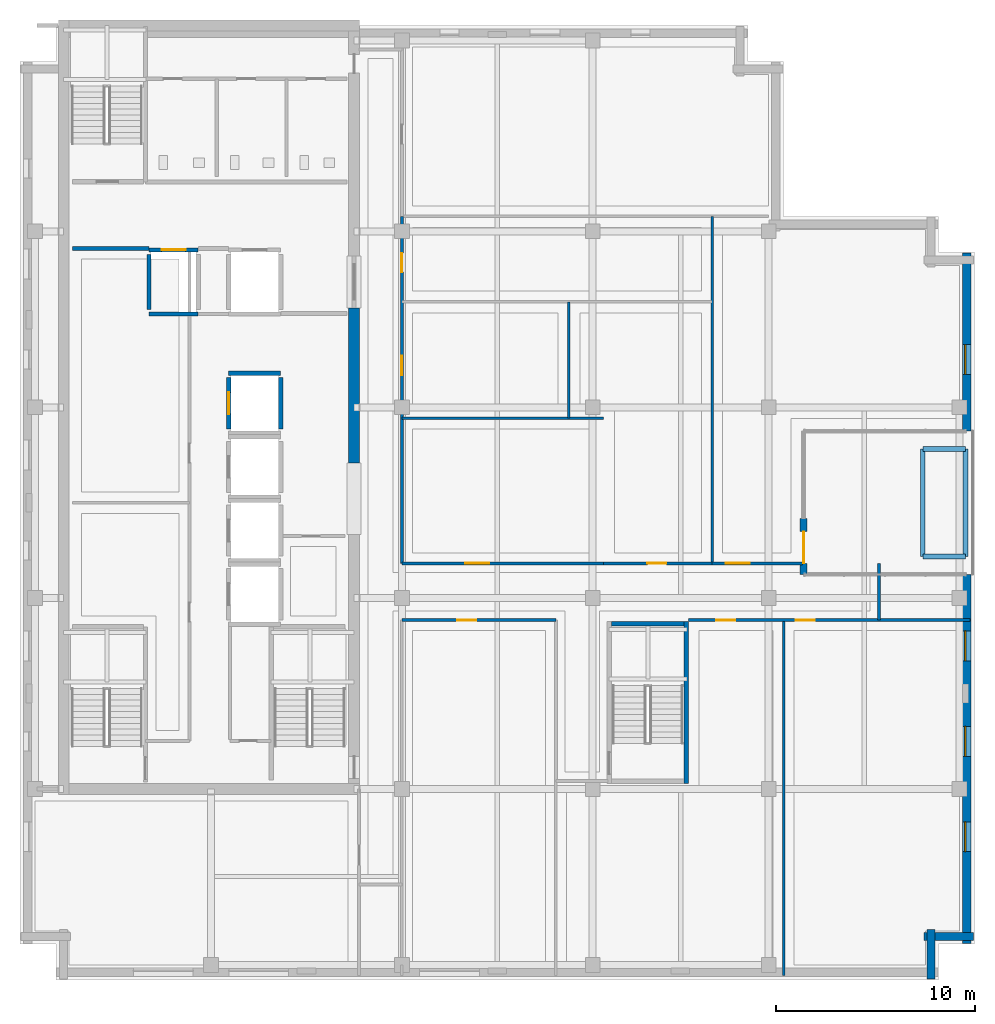
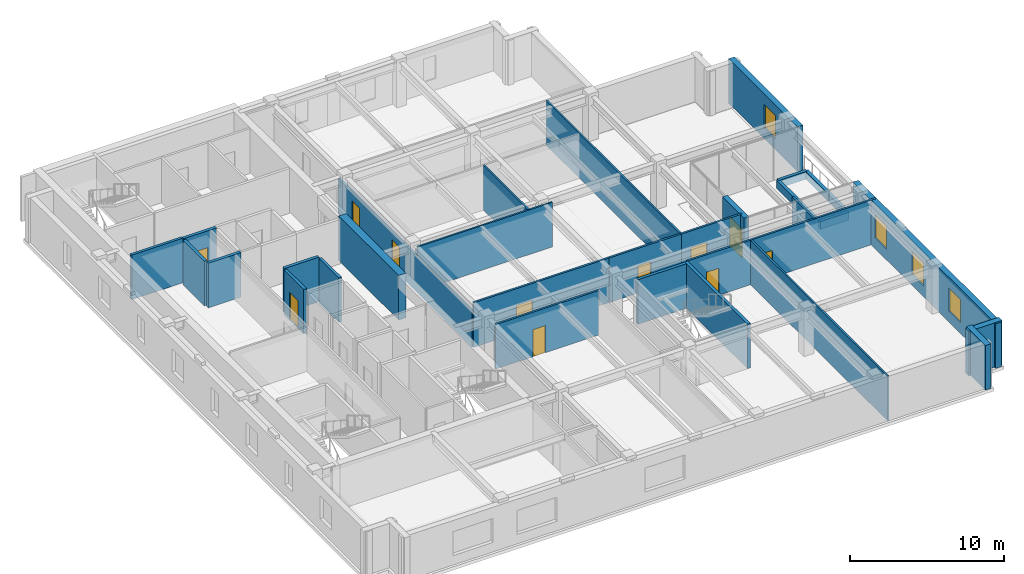
# One storey, part 4 of 13: 30 walls, 11 doors, 4 windows, 15 openings.
"""IFC4 building model written with IfcOpenShell, lengths in metres."""

from ifc_helpers import new_model, si_unit, direction, frame, frame_2d, origin, place, context, subcontext, project, spatial, rectangle, extrude, material, layer, layer_set, type_object, element, fill, save


model = new_model("IFC4")

# Units and contexts
model_context = context("Model", 3, precision=1e-05, world=origin(), true_north=direction((0.0, 1.0)))
body_context = subcontext(model_context, "Body", "Model", "MODEL_VIEW")
ifc_project = project(units=[si_unit("LENGTHUNIT", "METRE"), si_unit("AREAUNIT", "SQUARE_METRE"), si_unit("VOLUMEUNIT", "CUBIC_METRE"), si_unit("PLANEANGLEUNIT", "RADIAN"), si_unit("MASSUNIT", "GRAM", prefix="KILO")], contexts=[model_context])

# Site, building, storey
site_placement = place(None, origin())
site = spatial("IfcSite", under=ifc_project, at=site_placement, CompositionType="ELEMENT")
building_placement = place(site_placement, origin())
building = spatial("IfcBuilding", under=site, at=building_placement, Name="Norrvale University Quadrangle", CompositionType="ELEMENT")
storey_placement = place(building_placement, frame((0.0, 0.0, 277.199951171875)))
storey = spatial("IfcBuildingStorey", under=building, at=storey_placement, Name="L70", CompositionType="ELEMENT", Elevation=277.199951171875)

# Walls
ifc_material_1 = material(Name="Buff Norman Clay Brick Masonry", Category="masonry")
ifc_layer_1 = layer(ifc_material_1, 0.419921875, Name="Buff Norman Clay Brick Masonry")
ifc_layer_set_1 = layer_set([ifc_layer_1], Name="Buff Norman Clay Brick Masonry")
wall_type_1 = type_object("IfcWallType", Name="Wall Buff Brick 420", PredefinedType="SOLIDWALL", material=ifc_layer_set_1)
for number, where, z_axis, x_axis, name in (
    (1, (45.81005859375, 0.0400390625, 0.0), (0.0, 0.0, 1.0), (0.0, 1.0, 0.0), "Exterior Brick Facade Wall L70-02.1"),
    (2, (45.4599609375, 2.18994140625, 0.0), (0.0, 0.0, 1.0), (1.0, 0.0, 0.0), "Exterior Brick Facade Wall L70-03.1"),
):
    element("IfcWall", number, at=place(storey_placement, frame(where, z_axis=z_axis, x_axis=x_axis)), inside=storey, type_object=wall_type_1, Name=name, PredefinedType="SOLIDWALL", context=body_context, shape_type="SweptSolid", body=[
        extrude(rectangle(XDim=2.5, YDim=0.419921875, at=frame_2d((1.25, 0.0))), origin(), (0.0, 0.0, 1.0), 3.5400390625),
    ])

# Wall, openings, windows
wall_1_placement = place(storey_placement, frame((47.610107421875, 1.840087890625, 0.0), z_axis=(0.0, 0.0, 1.0), x_axis=(0.0, 1.0, 0.0)))
wall_1 = element("IfcWall", 3, at=wall_1_placement, inside=storey, type_object=wall_type_1, Name="Exterior Brick Facade Wall L70-04.1", PredefinedType="SOLIDWALL", context=body_context, shape_type="SweptSolid", body=[
    extrude(rectangle(XDim=18.559814453125, YDim=0.419921875, at=frame_2d((9.27978515625, 0.0))), origin(), (0.0, 0.0, 1.0), 3.5400390625),
])
opening_1_placement = place(wall_1_placement, frame((4.610107421875, 0.0, 0.85009765625)))
opening_1 = element("IfcOpeningElement", 4, at=opening_1_placement, cuts=wall_1, Name="Opening W03", PredefinedType="OPENING", context=body_context, shape_type="SweptSolid", body=[
    extrude(rectangle(XDim=1.5, YDim=1.85009765625, at=frame_2d((0.75, 0.925048828125))), frame((0.0, 0.221923828125, 0.0), z_axis=(0.0, -1.0, 0.0), x_axis=(1.0, 0.0, 0.0)), (0.0, 0.0, 1.0), 0.44384765625),
])
opening_2_placement = place(wall_1_placement, frame((9.409912109375, 0.0, 0.85009765625)))
opening_2 = element("IfcOpeningElement", 5, at=opening_2_placement, cuts=wall_1, Name="Opening W03", PredefinedType="OPENING", context=body_context, shape_type="SweptSolid", body=[
    extrude(rectangle(XDim=1.5, YDim=1.85009765625, at=frame_2d((0.75, 0.925048828125))), frame((0.0, 0.221923828125, 0.0), z_axis=(0.0, -1.0, 0.0), x_axis=(1.0, 0.0, 0.0)), (0.0, 0.0, 1.0), 0.44384765625),
])
opening_3_placement = place(wall_1_placement, frame((14.2099609375, 0.0, 0.85009765625)))
opening_3 = element("IfcOpeningElement", 6, at=opening_3_placement, cuts=wall_1, Name="Opening W03", PredefinedType="OPENING", context=body_context, shape_type="SweptSolid", body=[
    extrude(rectangle(XDim=1.5, YDim=1.85009765625, at=frame_2d((0.75, 0.925048828125))), frame((0.0, 0.221923828125, 0.0), z_axis=(0.0, -1.0, 0.0), x_axis=(1.0, 0.0, 0.0)), (0.0, 0.0, 1.0), 0.44384765625),
])
ifc_material_2 = material(Name="Triple Low-E Argon Glazing", Category="glass")
window_type = type_object("IfcWindowType", Name="Window Studio 1500x2300", PartitioningType="DOUBLE_PANEL_VERTICAL", PredefinedType="WINDOW", material=ifc_material_2)
window_1_placement = place(opening_1_placement, origin())
window_1 = element("IfcWindow", 7, at=window_1_placement, inside=storey, type_object=window_type, Name="Window Studio 1500x2300 WIN-L70-E04-1-01", OverallHeight=1.85009765625, OverallWidth=1.5, PartitioningType="DOUBLE_PANEL_VERTICAL", PredefinedType="WINDOW", context=body_context, shape_type="SweptSolid", body=[
    extrude(rectangle(XDim=1.5, YDim=1.85009765625, at=frame_2d((0.75, 0.925048828125))), frame((0.0, 0.110107421875, 0.0), z_axis=(0.0, -1.0, 0.0), x_axis=(1.0, 0.0, 0.0)), (0.0, 0.0, 1.0), 0.06005859375),
])
fill(opening_1, window_1)
window_2_placement = place(opening_2_placement, origin())
window_2 = element("IfcWindow", 8, at=window_2_placement, inside=storey, type_object=window_type, Name="Window Studio 1500x2300 WIN-L70-E04-1-02", OverallHeight=1.85009765625, OverallWidth=1.5, PartitioningType="DOUBLE_PANEL_VERTICAL", PredefinedType="WINDOW", context=body_context, shape_type="SweptSolid", body=[
    extrude(rectangle(XDim=1.5, YDim=1.85009765625, at=frame_2d((0.75, 0.925048828125))), frame((0.0, 0.110107421875, 0.0), z_axis=(0.0, -1.0, 0.0), x_axis=(1.0, 0.0, 0.0)), (0.0, 0.0, 1.0), 0.06005859375),
])
fill(opening_2, window_2)
window_3_placement = place(opening_3_placement, origin())
window_3 = element("IfcWindow", 9, at=window_3_placement, inside=storey, type_object=window_type, Name="Window Studio 1500x2300 WIN-L70-E04-1-03", OverallHeight=1.85009765625, OverallWidth=1.5, PartitioningType="DOUBLE_PANEL_VERTICAL", PredefinedType="WINDOW", context=body_context, shape_type="SweptSolid", body=[
    extrude(rectangle(XDim=1.5, YDim=1.85009765625, at=frame_2d((0.75, 0.925048828125))), frame((0.0, 0.110107421875, 0.0), z_axis=(0.0, -1.0, 0.0), x_axis=(1.0, 0.0, 0.0)), (0.0, 0.0, 1.0), 0.06005859375),
])
fill(opening_3, window_3)

# Wall, opening, window
wall_2_placement = place(storey_placement, frame((47.610107421875, 27.60009765625, 0.0), z_axis=(0.0, 0.0, 1.0), x_axis=(0.0, 1.0, 0.0)))
wall_2 = element("IfcWall", 10, at=wall_2_placement, inside=storey, type_object=wall_type_1, Name="Exterior Brick Facade Wall L70-04.2", PredefinedType="SOLIDWALL", context=body_context, shape_type="SweptSolid", body=[
    extrude(rectangle(XDim=8.9599609375, YDim=0.419921875, at=frame_2d((4.47998046875, 0.0))), origin(), (0.0, 0.0, 1.0), 3.5400390625),
])
opening_4_placement = place(wall_2_placement, frame((2.85009765625, 0.0, 0.85009765625)))
opening_4 = element("IfcOpeningElement", 11, at=opening_4_placement, cuts=wall_2, Name="Opening W03", PredefinedType="OPENING", context=body_context, shape_type="SweptSolid", body=[
    extrude(rectangle(XDim=1.5, YDim=1.85009765625, at=frame_2d((0.75, 0.925048828125))), frame((0.0, 0.221923828125, 0.0), z_axis=(0.0, -1.0, 0.0), x_axis=(1.0, 0.0, 0.0)), (0.0, 0.0, 1.0), 0.44384765625),
])
window_4_placement = place(opening_4_placement, origin())
window_4 = element("IfcWindow", 12, at=window_4_placement, inside=storey, type_object=window_type, Name="Window Studio 1500x2300 WIN-L70-E04-2-01", OverallHeight=1.85009765625, OverallWidth=1.5, PartitioningType="DOUBLE_PANEL_VERTICAL", PredefinedType="WINDOW", context=body_context, shape_type="SweptSolid", body=[
    extrude(rectangle(XDim=1.5, YDim=1.85009765625, at=frame_2d((0.75, 0.925048828125))), frame((0.0, 0.110107421875, 0.0), z_axis=(0.0, -1.0, 0.0), x_axis=(1.0, 0.0, 0.0)), (0.0, 0.0, 1.0), 0.06005859375),
])
fill(opening_4, window_4)

# Wall, opening, door
wall_3_placement = place(storey_placement, frame((39.39990234375, 20.39990234375, 0.0), z_axis=(0.0, 0.0, 1.0), x_axis=(0.0, 1.0, 0.0)))
wall_3 = element("IfcWall", 13, at=wall_3_placement, inside=storey, type_object=wall_type_1, Name="Sky Garden Loggia Access Wall L70", PredefinedType="SOLIDWALL", context=body_context, shape_type="SweptSolid", body=[
    extrude(rectangle(XDim=2.800048828125, YDim=0.360107421875, at=frame_2d((1.39990234375, 0.0))), origin(), (0.0, 0.0, 1.0), 3.5400390625),
])
opening_5_placement = place(wall_3_placement, frame((0.550048828125, 0.0, 0.0)))
opening_5 = element("IfcOpeningElement", 14, at=opening_5_placement, cuts=wall_3, Name="Opening D09", PredefinedType="OPENING", context=body_context, shape_type="SweptSolid", body=[
    extrude(rectangle(XDim=1.60009765625, YDim=2.300048828125, at=frame_2d((0.800048828125, 1.14990234375))), frame((0.0, 0.192138671875, 0.0), z_axis=(0.0, -1.0, 0.0), x_axis=(1.0, 0.0, 0.0)), (0.0, 0.0, 1.0), 0.384033203125),
])
ifc_material_3 = material(Name="Thermally Broken Glazed Terrace Door")
door_type_1 = type_object("IfcDoorType", Name="Door Terrace 1600x2300", OperationType="DOUBLE_SWING_LEFT", PredefinedType="DOOR", material=ifc_material_3)
door_1_placement = place(opening_5_placement, frame((1.60009765625, 0.0, 0.0), z_axis=(0.0, 0.0, 1.0), x_axis=(-1.0, 0.0, 0.0)))
door_1 = element("IfcDoor", 15, at=door_1_placement, inside=storey, type_object=door_type_1, Name="Door Terrace 1600x2300 DR-L70-SKYG", OperationType="DOUBLE_SWING_LEFT", OverallHeight=2.300048828125, OverallWidth=1.60009765625, PredefinedType="DOOR", context=body_context, shape_type="SweptSolid", body=[
    extrude(rectangle(XDim=1.60009765625, YDim=2.300048828125, at=frame_2d((0.800048828125, 1.14990234375))), frame((0.0, 0.02490234375, 0.0), z_axis=(0.0, -1.0, 0.0), x_axis=(1.0, 0.0, 0.0)), (0.0, 0.0, 1.0), 0.050048828125),
])
fill(opening_5, door_1)

# Walls
ifc_material_4 = material(Name="Concrete C60/75", Category="concrete")
ifc_layer_2 = layer(ifc_material_4, 0.550048828125, Name="Concrete C60/75")
ifc_layer_set_2 = layer_set([ifc_layer_2], Name="Concrete C60/75")
wall_type_2 = type_object("IfcWallType", Name="Wall Core 550", PredefinedType="SHEAR", material=ifc_layer_set_2)
wall_4_placement = place(storey_placement, frame((16.800048828125, 26.0, 0.0), z_axis=(0.0, 0.0, 1.0), x_axis=(0.0, 1.0, 0.0)))
element("IfcWall", 16, at=wall_4_placement, inside=storey, type_object=wall_type_2, Name="Tower Core Shear Wall L70-E2", PredefinedType="SHEAR", context=body_context, shape_type="SweptSolid", body=[
    extrude(rectangle(XDim=7.800048828125, YDim=0.550048828125, at=frame_2d((3.89990234375, 0.0))), origin(), (0.0, 0.0, 1.0), 3.5400390625),
])
ifc_material_5 = material(Name="Standard Academic Gypsum Partition")
ifc_layer_3 = layer(ifc_material_5, 0.125, Name="Standard Academic Gypsum Partition")
ifc_layer_set_3 = layer_set([ifc_layer_3], Name="Standard Academic Gypsum Partition")
wall_type_3 = type_object("IfcWallType", Name="Wall Gypsum Academic 125", PredefinedType="PARTITIONING", material=ifc_layer_set_3)
wall_5_placement = place(storey_placement, frame((38.39990234375, 0.219970703125, 0.0), z_axis=(0.0, 0.0, 1.0), x_axis=(0.0, 1.0, 0.0)))
element("IfcWall", 17, at=wall_5_placement, inside=storey, type_object=wall_type_3, Name="Interior Partition WL-L70-SEP2", PredefinedType="PARTITIONING", context=body_context, shape_type="SweptSolid", body=[
    extrude(rectangle(XDim=17.880126953125, YDim=0.125, at=frame_2d((8.93994140625, 0.0))), origin(), (0.0, 0.0, 1.0), 3.5400390625),
])
wall_6_placement = place(storey_placement, frame((27.60009765625, 28.25, 0.0), z_axis=(0.0, 0.0, 1.0), x_axis=(0.0, 1.0, 0.0)))
element("IfcWall", 18, at=wall_6_placement, inside=storey, type_object=wall_type_3, Name="Interior Partition WL-L70-MEN-M1", PredefinedType="PARTITIONING", context=body_context, shape_type="SweptSolid", body=[
    extrude(rectangle(XDim=5.85009765625, YDim=0.125, at=frame_2d((2.925048828125, 0.0))), origin(), (0.0, 0.0, 1.0), 3.5400390625),
])
wall_7_placement = place(storey_placement, frame((19.199951171875, 28.25, 0.0), z_axis=(0.0, 0.0, 1.0), x_axis=(1.0, 0.0, 0.0)))
element("IfcWall", 19, at=wall_7_placement, inside=storey, type_object=wall_type_3, Name="Interior Partition WL-L70-MEN-S", PredefinedType="PARTITIONING", context=body_context, shape_type="SweptSolid", body=[
    extrude(rectangle(XDim=10.150146484375, YDim=0.125, at=frame_2d((5.0751953125, 0.0))), origin(), (0.0, 0.0, 1.0), 3.5400390625),
])
wall_8_placement = place(storey_placement, frame((34.800048828125, 20.949951171875, 0.0), z_axis=(0.0, 0.0, 1.0), x_axis=(0.0, 1.0, 0.0)))
element("IfcWall", 20, at=wall_8_placement, inside=storey, type_object=wall_type_3, Name="Interior Partition WL-L70-MEN-E", PredefinedType="PARTITIONING", context=body_context, shape_type="SweptSolid", body=[
    extrude(rectangle(XDim=17.449951171875, YDim=0.125, at=frame_2d((8.72509765625, 0.0))), origin(), (0.0, 0.0, 1.0), 3.5400390625),
])
ifc_material_6 = material(Name="Fire-Rated Gypsum Stud Partition")
ifc_layer_4 = layer(ifc_material_6, 0.14990234375, Name="Fire-Rated Gypsum Stud Partition")
ifc_layer_set_4 = layer_set([ifc_layer_4], Name="Fire-Rated Gypsum Stud Partition")
wall_type_4 = type_object("IfcWallType", Name="Wall Gypsum Corridor 150", PredefinedType="PARTITIONING", material=ifc_layer_set_4)
wall_9_placement = place(storey_placement, frame((43.199951171875, 18.10009765625, 0.0), z_axis=(0.0, 0.0, 1.0), x_axis=(0.0, 1.0, 0.0)))
element("IfcWall", 21, at=wall_9_placement, inside=storey, type_object=wall_type_4, Name="Interior Partition WL-L70-CESP-E", PredefinedType="PARTITIONING", context=body_context, shape_type="SweptSolid", body=[
    extrude(rectangle(XDim=2.849853515625, YDim=0.14990234375, at=frame_2d((1.4248046875, 0.0))), origin(), (0.0, 0.0, 1.0), 3.5400390625),
])

# Wall, opening, door
wall_10_placement = place(storey_placement, frame((19.199951171875, 18.10009765625, 0.0), z_axis=(0.0, 0.0, 1.0), x_axis=(1.0, 0.0, 0.0)))
wall_10 = element("IfcWall", 22, at=wall_10_placement, inside=storey, type_object=wall_type_4, Name="Interior Partition WL-L70-SEW1", PredefinedType="PARTITIONING", context=body_context, shape_type="SweptSolid", body=[
    extrude(rectangle(XDim=7.75, YDim=0.14990234375, at=frame_2d((3.875, 0.0))), origin(), (0.0, 0.0, 1.0), 3.5400390625),
])
opening_6_placement = place(wall_10_placement, frame((2.800048828125, 0.0, 0.0)))
opening_6 = element("IfcOpeningElement", 23, at=opening_6_placement, cuts=wall_10, Name="Opening D07", PredefinedType="OPENING", context=body_context, shape_type="SweptSolid", body=[
    extrude(rectangle(XDim=0.949951171875, YDim=2.14990234375, at=frame_2d((0.47509765625, 1.074951171875))), frame((0.0, 0.0869140625, 0.0), z_axis=(0.0, -1.0, 0.0), x_axis=(1.0, 0.0, 0.0)), (0.0, 0.0, 1.0), 0.173828125),
])
ifc_material_7 = material(Name="Solid-Core Maple Door", Category="wood")
door_type_2 = type_object("IfcDoorType", Name="Door Office 950x2150", OperationType="NOTDEFINED", PredefinedType="DOOR", material=ifc_material_7)
door_2_placement = place(opening_6_placement, origin())
door_2 = element("IfcDoor", 24, at=door_2_placement, inside=storey, type_object=door_type_2, Name="Door Office 950x2150 DR-L70-SE1", OperationType="SINGLE_SWING_LEFT", OverallHeight=2.14990234375, OverallWidth=0.949951171875, PredefinedType="DOOR", context=body_context, shape_type="SweptSolid", body=[
    extrude(rectangle(XDim=0.949951171875, YDim=2.14990234375, at=frame_2d((0.47509765625, 1.074951171875))), frame((0.0, 0.02490234375, 0.0), z_axis=(0.0, -1.0, 0.0), x_axis=(1.0, 0.0, 0.0)), (0.0, 0.0, 1.0), 0.050048828125),
])
fill(opening_6, door_2)

# Wall, openings, doors
wall_11_placement = place(storey_placement, frame((33.6201171875, 18.10009765625, 0.0), z_axis=(0.0, 0.0, 1.0), x_axis=(1.0, 0.0, 0.0)))
wall_11 = element("IfcWall", 25, at=wall_11_placement, inside=storey, type_object=wall_type_4, Name="Interior Partition WL-L70-SEW2", PredefinedType="PARTITIONING", context=body_context, shape_type="SweptSolid", body=[
    extrude(rectangle(XDim=14.159912109375, YDim=0.14990234375, at=frame_2d((7.080078125, 0.0))), origin(), (0.0, 0.0, 1.0), 3.5400390625),
])
opening_7_placement = place(wall_11_placement, frame((1.39990234375, 0.0, 0.0)))
opening_7 = element("IfcOpeningElement", 26, at=opening_7_placement, cuts=wall_11, Name="Opening D07", PredefinedType="OPENING", context=body_context, shape_type="SweptSolid", body=[
    extrude(rectangle(XDim=0.949951171875, YDim=2.14990234375, at=frame_2d((0.47509765625, 1.074951171875))), frame((0.0, 0.0869140625, 0.0), z_axis=(0.0, -1.0, 0.0), x_axis=(1.0, 0.0, 0.0)), (0.0, 0.0, 1.0), 0.173828125),
])
opening_8_placement = place(wall_11_placement, frame((5.39990234375, 0.0, 0.0)))
opening_8 = element("IfcOpeningElement", 27, at=opening_8_placement, cuts=wall_11, Name="Opening D07", PredefinedType="OPENING", context=body_context, shape_type="SweptSolid", body=[
    extrude(rectangle(XDim=0.949951171875, YDim=2.14990234375, at=frame_2d((0.47509765625, 1.074951171875))), frame((0.0, 0.0869140625, 0.0), z_axis=(0.0, -1.0, 0.0), x_axis=(1.0, 0.0, 0.0)), (0.0, 0.0, 1.0), 0.173828125),
])
door_3_placement = place(opening_7_placement, origin())
door_3 = element("IfcDoor", 28, at=door_3_placement, inside=storey, type_object=door_type_2, Name="Door Office 950x2150 DR-L70-SE2", OperationType="SINGLE_SWING_RIGHT", OverallHeight=2.14990234375, OverallWidth=0.949951171875, PredefinedType="DOOR", context=body_context, shape_type="SweptSolid", body=[
    extrude(rectangle(XDim=0.949951171875, YDim=2.14990234375, at=frame_2d((0.47509765625, 1.074951171875))), frame((0.0, 0.02490234375, 0.0), z_axis=(0.0, -1.0, 0.0), x_axis=(1.0, 0.0, 0.0)), (0.0, 0.0, 1.0), 0.050048828125),
])
fill(opening_7, door_3)
door_4_placement = place(opening_8_placement, origin())
door_4 = element("IfcDoor", 29, at=door_4_placement, inside=storey, type_object=door_type_2, Name="Door Office 950x2150 DR-L70-SE3", OperationType="SINGLE_SWING_LEFT", OverallHeight=2.14990234375, OverallWidth=0.949951171875, PredefinedType="DOOR", context=body_context, shape_type="SweptSolid", body=[
    extrude(rectangle(XDim=0.949951171875, YDim=2.14990234375, at=frame_2d((0.47509765625, 1.074951171875))), frame((0.0, 0.02490234375, 0.0), z_axis=(0.0, -1.0, 0.0), x_axis=(1.0, 0.0, 0.0)), (0.0, 0.0, 1.0), 0.050048828125),
])
fill(opening_8, door_4)

# Wall, opening, door
wall_12_placement = place(storey_placement, frame((19.199951171875, 20.949951171875, 0.0), z_axis=(0.0, 0.0, 1.0), x_axis=(1.0, 0.0, 0.0)))
wall_12 = element("IfcWall", 30, at=wall_12_placement, inside=storey, type_object=wall_type_4, Name="Interior Partition WL-L70-MECW1", PredefinedType="PARTITIONING", context=body_context, shape_type="SweptSolid", body=[
    extrude(rectangle(XDim=10.150146484375, YDim=0.14990234375, at=frame_2d((5.0751953125, 0.0))), origin(), (0.0, 0.0, 1.0), 3.5400390625),
])
opening_9_placement = place(wall_12_placement, frame((3.199951171875, 0.0, 0.0)))
opening_9 = element("IfcOpeningElement", 31, at=opening_9_placement, cuts=wall_12, Name="Opening D05", PredefinedType="OPENING", context=body_context, shape_type="SweptSolid", body=[
    extrude(rectangle(XDim=1.199951171875, YDim=2.199951171875, at=frame_2d((0.60009765625, 1.10009765625))), frame((0.0, 0.0869140625, 0.0), z_axis=(0.0, -1.0, 0.0), x_axis=(1.0, 0.0, 0.0)), (0.0, 0.0, 1.0), 0.173828125),
])
ifc_material_8 = material(Name="Acoustic Oak Classroom Door", Category="wood")
door_type_3 = type_object("IfcDoorType", Name="Door Classroom 1200x2200", OperationType="NOTDEFINED", PredefinedType="DOOR", material=ifc_material_8)
door_5_placement = place(opening_9_placement, origin())
door_5 = element("IfcDoor", 32, at=door_5_placement, inside=storey, type_object=door_type_3, Name="Door Classroom 1200x2200 DR-L70-MEW", OperationType="SINGLE_SWING_LEFT", OverallHeight=2.199951171875, OverallWidth=1.199951171875, PredefinedType="DOOR", context=body_context, shape_type="SweptSolid", body=[
    extrude(rectangle(XDim=1.199951171875, YDim=2.199951171875, at=frame_2d((0.60009765625, 1.10009765625))), frame((0.0, 0.02490234375, 0.0), z_axis=(0.0, -1.0, 0.0), x_axis=(1.0, 0.0, 0.0)), (0.0, 0.0, 1.0), 0.050048828125),
])
fill(opening_9, door_5)

wall_13_placement = place(storey_placement, frame((34.800048828125, 20.949951171875, 0.0), z_axis=(0.0, 0.0, 1.0), x_axis=(1.0, 0.0, 0.0)))
wall_13 = element("IfcWall", 33, at=wall_13_placement, inside=storey, type_object=wall_type_4, Name="Interior Partition WL-L70-MECW2", PredefinedType="PARTITIONING", context=body_context, shape_type="SweptSolid", body=[
    extrude(rectangle(XDim=4.550048828125, YDim=0.14990234375, at=frame_2d((2.27490234375, 0.0))), origin(), (0.0, 0.0, 1.0), 3.5400390625),
])
opening_10_placement = place(wall_13_placement, frame((0.699951171875, 0.0, 0.0)))
opening_10 = element("IfcOpeningElement", 34, at=opening_10_placement, cuts=wall_13, Name="Opening D05", PredefinedType="OPENING", context=body_context, shape_type="SweptSolid", body=[
    extrude(rectangle(XDim=1.199951171875, YDim=2.199951171875, at=frame_2d((0.60009765625, 1.10009765625))), frame((0.0, 0.0869140625, 0.0), z_axis=(0.0, -1.0, 0.0), x_axis=(1.0, 0.0, 0.0)), (0.0, 0.0, 1.0), 0.173828125),
])
door_6_placement = place(opening_10_placement, origin())
door_6 = element("IfcDoor", 35, at=door_6_placement, inside=storey, type_object=door_type_3, Name="Door Classroom 1200x2200 DR-L70-MEE", OperationType="SINGLE_SWING_RIGHT", OverallHeight=2.199951171875, OverallWidth=1.199951171875, PredefinedType="DOOR", context=body_context, shape_type="SweptSolid", body=[
    extrude(rectangle(XDim=1.199951171875, YDim=2.199951171875, at=frame_2d((0.60009765625, 1.10009765625))), frame((0.0, 0.02490234375, 0.0), z_axis=(0.0, -1.0, 0.0), x_axis=(1.0, 0.0, 0.0)), (0.0, 0.0, 1.0), 0.050048828125),
])
fill(opening_10, door_6)

# Wall, openings, doors
wall_14_placement = place(storey_placement, frame((19.199951171875, 20.949951171875, 0.0), z_axis=(0.0, 0.0, 1.0), x_axis=(0.0, 1.0, 0.0)))
wall_14 = element("IfcWall", 36, at=wall_14_placement, inside=storey, type_object=wall_type_4, Name="Interior Partition WL-L70-MEN-W", PredefinedType="PARTITIONING", context=body_context, shape_type="SweptSolid", body=[
    extrude(rectangle(XDim=17.449951171875, YDim=0.14990234375, at=frame_2d((8.72509765625, 0.0))), origin(), (0.0, 0.0, 1.0), 2.844970703125),
])
opening_11_placement = place(wall_14_placement, frame((9.449951171875, 0.0, 0.0)))
opening_11 = element("IfcOpeningElement", 37, at=opening_11_placement, cuts=wall_14, Name="Opening D04", PredefinedType="OPENING", context=body_context, shape_type="SweptSolid", body=[
    extrude(rectangle(XDim=1.0, YDim=2.199951171875, at=frame_2d((0.5, 1.10009765625))), frame((0.0, 0.0869140625, 0.0), z_axis=(0.0, -1.0, 0.0), x_axis=(1.0, 0.0, 0.0)), (0.0, 0.0, 1.0), 0.173828125),
])
opening_12_placement = place(wall_14_placement, frame((14.64990234375, 0.0, 0.0)))
opening_12 = element("IfcOpeningElement", 38, at=opening_12_placement, cuts=wall_14, Name="Opening D07", PredefinedType="OPENING", context=body_context, shape_type="SweptSolid", body=[
    extrude(rectangle(XDim=0.949951171875, YDim=2.14990234375, at=frame_2d((0.47509765625, 1.074951171875))), frame((0.0, 0.0869140625, 0.0), z_axis=(0.0, -1.0, 0.0), x_axis=(1.0, 0.0, 0.0)), (0.0, 0.0, 1.0), 0.173828125),
])
ifc_material_9 = material(Name="Solid-Core Oak Fire Door", Category="wood")
door_type_4 = type_object("IfcDoorType", Name="Door Corridor 1000x2200", OperationType="NOTDEFINED", PredefinedType="DOOR", material=ifc_material_9)
door_7_placement = place(opening_11_placement, origin())
door_7 = element("IfcDoor", 39, at=door_7_placement, inside=storey, type_object=door_type_4, Name="Door Corridor 1000x2200 DR-L70-MEN", OperationType="SINGLE_SWING_LEFT", OverallHeight=2.199951171875, OverallWidth=1.0, PredefinedType="DOOR", context=body_context, shape_type="SweptSolid", body=[
    extrude(rectangle(XDim=1.0, YDim=2.199951171875, at=frame_2d((0.5, 1.10009765625))), frame((0.0, 0.02490234375, 0.0), z_axis=(0.0, -1.0, 0.0), x_axis=(1.0, 0.0, 0.0)), (0.0, 0.0, 1.0), 0.050048828125),
])
fill(opening_11, door_7)
door_8_placement = place(opening_12_placement, origin())
door_8 = element("IfcDoor", 40, at=door_8_placement, inside=storey, type_object=door_type_2, Name="Door Office 950x2150 DR-L70-MEN3", OperationType="SINGLE_SWING_RIGHT", OverallHeight=2.14990234375, OverallWidth=0.949951171875, PredefinedType="DOOR", context=body_context, shape_type="SweptSolid", body=[
    extrude(rectangle(XDim=0.949951171875, YDim=2.14990234375, at=frame_2d((0.47509765625, 1.074951171875))), frame((0.0, 0.02490234375, 0.0), z_axis=(0.0, -1.0, 0.0), x_axis=(1.0, 0.0, 0.0)), (0.0, 0.0, 1.0), 0.050048828125),
])
fill(opening_12, door_8)

# Wall, opening, door
wall_15_placement = place(storey_placement, frame((29.35009765625, 20.949951171875, 0.0), z_axis=(0.0, 0.0, 1.0), x_axis=(1.0, 0.0, 0.0)))
wall_15 = element("IfcWall", 41, at=wall_15_placement, inside=storey, type_object=wall_type_4, Name="Interior Partition WL-L70-MECW-M", PredefinedType="PARTITIONING", context=body_context, shape_type="SweptSolid", body=[
    extrude(rectangle(XDim=5.449951171875, YDim=0.14990234375, at=frame_2d((2.72509765625, 0.0))), origin(), (0.0, 0.0, 1.0), 3.5400390625),
])
opening_13_placement = place(wall_15_placement, frame((2.199951171875, 0.0, 0.0)))
opening_13 = element("IfcOpeningElement", 42, at=opening_13_placement, cuts=wall_15, Name="Opening D07", PredefinedType="OPENING", context=body_context, shape_type="SweptSolid", body=[
    extrude(rectangle(XDim=0.949951171875, YDim=2.14990234375, at=frame_2d((0.47509765625, 1.074951171875))), frame((0.0, 0.0869140625, 0.0), z_axis=(0.0, -1.0, 0.0), x_axis=(1.0, 0.0, 0.0)), (0.0, 0.0, 1.0), 0.173828125),
])
door_9_placement = place(opening_13_placement, origin())
door_9 = element("IfcDoor", 43, at=door_9_placement, inside=storey, type_object=door_type_2, Name="Door Office 950x2150 DR-L70-MEN2", OperationType="SINGLE_SWING_LEFT", OverallHeight=2.14990234375, OverallWidth=0.949951171875, PredefinedType="DOOR", context=body_context, shape_type="SweptSolid", body=[
    extrude(rectangle(XDim=0.949951171875, YDim=2.14990234375, at=frame_2d((0.47509765625, 1.074951171875))), frame((0.0, 0.02490234375, 0.0), z_axis=(0.0, -1.0, 0.0), x_axis=(1.0, 0.0, 0.0)), (0.0, 0.0, 1.0), 0.050048828125),
])
fill(opening_13, door_9)

# Walls
ifc_material_10 = material(Name="Concrete Blockwork 20 MPa Rated Wall", Category="masonry")
ifc_layer_5 = layer(ifc_material_10, 0.199951171875, Name="Concrete Blockwork 20 MPa Rated Wall")
ifc_layer_set_5 = layer_set([ifc_layer_5], Name="Concrete Blockwork 20 MPa Rated Wall")
wall_type_5 = type_object("IfcWallType", Name="Wall Lobby 200", PredefinedType="SOLIDWALL", material=ifc_layer_set_5)
wall_16_placement = place(storey_placement, frame((2.64990234375, 36.780029296875, 0.0), z_axis=(0.0, 0.0, 1.0), x_axis=(1.0, 0.0, 0.0)))
element("IfcWall", 44, at=wall_16_placement, inside=storey, type_object=wall_type_5, Name="Interior Partition WL-L70-FF1", PredefinedType="SOLIDWALL", context=body_context, shape_type="SweptSolid", body=[
    extrude(rectangle(XDim=3.830078125, YDim=0.199951171875, at=frame_2d((1.9150390625, 0.0))), origin(), (0.0, 0.0, 1.0), 3.5400390625),
])
ifc_layer_6 = layer(ifc_material_1, 0.239990234375, Name="Buff Norman Clay Brick Masonry")
ifc_layer_set_6 = layer_set([ifc_layer_6], Name="Buff Norman Clay Brick Masonry")
wall_type_6 = type_object("IfcWallType", Name="Wall Planter 240", PredefinedType="USERDEFINED", material=ifc_layer_set_6)
for number, where, z_axis, x_axis, name in (
    (45, (45.39990234375, 21.300048828125, 0.0), (0.0, 0.0, 1.0), (0.0, 1.0, 0.0), "Sky Garden Planter Curb L70-W"),
    (46, (47.550048828125, 21.300048828125, 0.0), (0.0, 0.0, 1.0), (0.0, 1.0, 0.0), "Sky Garden Planter Curb L70-E"),
):
    element("IfcWall", number, at=place(storey_placement, frame(where, z_axis=z_axis, x_axis=x_axis)), inside=storey, type_object=wall_type_6, Name=name, ObjectType="PLANTER", PredefinedType="USERDEFINED", context=body_context, shape_type="SweptSolid", body=[
        extrude(rectangle(XDim=5.39990234375, YDim=0.239990234375, at=frame_2d((2.699951171875, 0.0))), origin(), (0.0, 0.0, 1.0), 0.6201171875),
    ])
for number, where, z_axis, x_axis, name in (
    (47, (45.39990234375, 21.300048828125, 0.0), (0.0, 0.0, 1.0), (1.0, 0.0, 0.0), "Sky Garden Planter Curb L70-S"),
    (48, (45.39990234375, 26.699951171875, 0.0), (0.0, 0.0, 1.0), (1.0, 0.0, 0.0), "Sky Garden Planter Curb L70-N"),
):
    element("IfcWall", number, at=place(storey_placement, frame(where, z_axis=z_axis, x_axis=x_axis)), inside=storey, type_object=wall_type_6, Name=name, ObjectType="PLANTER", PredefinedType="USERDEFINED", context=body_context, shape_type="SweptSolid", body=[
        extrude(rectangle(XDim=2.150146484375, YDim=0.239990234375, at=frame_2d((1.0751953125, 0.0))), origin(), (0.0, 0.0, 1.0), 0.6201171875),
    ])
ifc_material_11 = material(Name="Concrete Blockwork 20 MPa Fire Shaft", Category="masonry")
ifc_layer_7 = layer(ifc_material_11, 0.219970703125, Name="Concrete Blockwork 20 MPa Fire Shaft")
ifc_layer_set_7 = layer_set([ifc_layer_7], Name="Concrete Blockwork 20 MPa Fire Shaft")
wall_type_7 = type_object("IfcWallType", Name="Wall Shaft 220", PredefinedType="SOLIDWALL", material=ifc_layer_set_7)
wall_17_placement = place(storey_placement, frame((33.510009765625, 9.8798828125, 0.0), z_axis=(0.0, 0.0, 1.0), x_axis=(0.0, 1.0, 0.0)))
element("IfcWall", 49, at=wall_17_placement, inside=storey, type_object=wall_type_7, Name="Stair ST-04 East Shaft Wall L70", PredefinedType="SOLIDWALL", context=body_context, shape_type="SweptSolid", body=[
    extrude(rectangle(XDim=8.14013671875, YDim=0.219970703125, at=frame_2d((4.070068359375, 0.0))), origin(), (0.0, 0.0, 1.0), 3.5400390625),
])
wall_18_placement = place(storey_placement, frame((29.75, 17.909912109375, 0.0), z_axis=(0.0, 0.0, 1.0), x_axis=(1.0, 0.0, 0.0)))
element("IfcWall", 50, at=wall_18_placement, inside=storey, type_object=wall_type_7, Name="Stair ST-04 North Shaft Wall L70", PredefinedType="SOLIDWALL", context=body_context, shape_type="SweptSolid", body=[
    extrude(rectangle(XDim=3.64990234375, YDim=0.219970703125, at=frame_2d((1.824951171875, 0.0))), origin(), (0.0, 0.0, 1.0), 3.5400390625),
])

# Wall, opening, door
wall_19_placement = place(storey_placement, frame((10.489990234375, 27.7099609375, 0.0), z_axis=(0.0, 0.0, 1.0), x_axis=(0.0, 1.0, 0.0)))
wall_19 = element("IfcWall", 51, at=wall_19_placement, inside=storey, type_object=wall_type_7, Name="Hoistway PL-08 West Wall L70", PredefinedType="SOLIDWALL", context=body_context, shape_type="SweptSolid", body=[
    extrude(rectangle(XDim=2.580078125, YDim=0.219970703125, at=frame_2d((1.2900390625, 0.0))), origin(), (0.0, 0.0, 1.0), 3.5400390625),
])
opening_14_placement = place(wall_19_placement, frame((0.739990234375, 0.0, 0.0)))
opening_14 = element("IfcOpeningElement", 52, at=opening_14_placement, cuts=wall_19, Name="Opening LD1", PredefinedType="OPENING", context=body_context, shape_type="SweptSolid", body=[
    extrude(rectangle(XDim=1.10009765625, YDim=2.199951171875, at=frame_2d((0.550048828125, 1.10009765625))), frame((0.0, 0.1220703125, 0.0), z_axis=(0.0, -1.0, 0.0), x_axis=(1.0, 0.0, 0.0)), (0.0, 0.0, 1.0), 0.243896484375),
])
ifc_material_12 = material(Name="Stainless Steel 316L Lift Landing Door", Category="steel")
door_type_5 = type_object("IfcDoorType", Name="Door Lift Landing 1100x2200", OperationType="DOUBLE_DOOR_SLIDING", PredefinedType="DOOR", material=ifc_material_12)
door_10_placement = place(opening_14_placement, origin())
door_10 = element("IfcDoor", 53, at=door_10_placement, inside=storey, type_object=door_type_5, Name="Elevator Landing Door DR-L70-PL-08", OperationType="DOUBLE_DOOR_SLIDING", OverallHeight=2.199951171875, OverallWidth=1.10009765625, PredefinedType="DOOR", context=body_context, shape_type="SweptSolid", body=[
    extrude(rectangle(XDim=1.10009765625, YDim=2.199951171875, at=frame_2d((0.550048828125, 1.10009765625))), frame((0.0, 0.02490234375, 0.0), z_axis=(0.0, -1.0, 0.0), x_axis=(1.0, 0.0, 0.0)), (0.0, 0.0, 1.0), 0.050048828125),
])
fill(opening_14, door_10)

# Walls
wall_20_placement = place(storey_placement, frame((13.110107421875, 27.7099609375, 0.0), z_axis=(0.0, 0.0, 1.0), x_axis=(0.0, 1.0, 0.0)))
element("IfcWall", 54, at=wall_20_placement, inside=storey, type_object=wall_type_7, Name="Hoistway PL-08 East Wall L70", PredefinedType="SOLIDWALL", context=body_context, shape_type="SweptSolid", body=[
    extrude(rectangle(XDim=2.580078125, YDim=0.219970703125, at=frame_2d((1.2900390625, 0.0))), origin(), (0.0, 0.0, 1.0), 3.5400390625),
])
wall_21_placement = place(storey_placement, frame((10.489990234375, 30.510009765625, 0.0), z_axis=(0.0, 0.0, 1.0), x_axis=(1.0, 0.0, 0.0)))
element("IfcWall", 55, at=wall_21_placement, inside=storey, type_object=wall_type_7, Name="Hoistway PL-08 North Wall L70", PredefinedType="SOLIDWALL", context=body_context, shape_type="SweptSolid", body=[
    extrude(rectangle(XDim=2.6201171875, YDim=0.219970703125, at=frame_2d((1.31005859375, 0.0))), origin(), (0.0, 0.0, 1.0), 3.5400390625),
])
wall_22_placement = place(storey_placement, frame((6.489990234375, 33.7099609375, 0.0), z_axis=(0.0, 0.0, 1.0), x_axis=(0.0, 1.0, 0.0)))
element("IfcWall", 56, at=wall_22_placement, inside=storey, type_object=wall_type_7, Name="Hoistway FFL-01 West Wall L70", PredefinedType="SOLIDWALL", context=body_context, shape_type="SweptSolid", body=[
    extrude(rectangle(XDim=2.780029296875, YDim=0.219970703125, at=frame_2d((1.39013671875, 0.0))), origin(), (0.0, 0.0, 1.0), 3.5400390625),
])
wall_23_placement = place(storey_placement, frame((6.489990234375, 33.489990234375, 0.0), z_axis=(0.0, 0.0, 1.0), x_axis=(1.0, 0.0, 0.0)))
element("IfcWall", 57, at=wall_23_placement, inside=storey, type_object=wall_type_7, Name="Hoistway FFL-01 South Wall L70", PredefinedType="SOLIDWALL", context=body_context, shape_type="SweptSolid", body=[
    extrude(rectangle(XDim=2.469970703125, YDim=0.219970703125, at=frame_2d((1.23486328125, 0.0))), origin(), (0.0, 0.0, 1.0), 3.5400390625),
])

# Wall, opening, door
wall_24_placement = place(storey_placement, frame((6.489990234375, 36.7099609375, 0.0), z_axis=(0.0, 0.0, 1.0), x_axis=(1.0, 0.0, 0.0)))
wall_24 = element("IfcWall", 58, at=wall_24_placement, inside=storey, type_object=wall_type_7, Name="Hoistway FFL-01 North Wall L70", PredefinedType="SOLIDWALL", context=body_context, shape_type="SweptSolid", body=[
    extrude(rectangle(XDim=2.469970703125, YDim=0.219970703125, at=frame_2d((1.23486328125, 0.0))), origin(), (0.0, 0.0, 1.0), 3.5400390625),
])
opening_15_placement = place(wall_24_placement, frame((0.635009765625, 0.0, 0.0)))
opening_15 = element("IfcOpeningElement", 59, at=opening_15_placement, cuts=wall_24, Name="Opening LD2", PredefinedType="OPENING", context=body_context, shape_type="SweptSolid", body=[
    extrude(rectangle(XDim=1.199951171875, YDim=2.199951171875, at=frame_2d((0.60009765625, 1.10009765625))), frame((0.0, 0.1220703125, 0.0), z_axis=(0.0, -1.0, 0.0), x_axis=(1.0, 0.0, 0.0)), (0.0, 0.0, 1.0), 0.243896484375),
])
ifc_material_13 = material(Name="Stainless Steel 316L Firefighter Lift Door", Category="steel")
door_type_6 = type_object("IfcDoorType", Name="Door Fire Lift 1200x2200", OperationType="DOUBLE_DOOR_SLIDING", PredefinedType="DOOR", material=ifc_material_13)
door_11_placement = place(opening_15_placement, origin())
door_11 = element("IfcDoor", 60, at=door_11_placement, inside=storey, type_object=door_type_6, Name="Elevator Landing Door DR-L70-FFL-01", OperationType="DOUBLE_DOOR_SLIDING", OverallHeight=2.199951171875, OverallWidth=1.199951171875, PredefinedType="DOOR", context=body_context, shape_type="SweptSolid", body=[
    extrude(rectangle(XDim=1.199951171875, YDim=2.199951171875, at=frame_2d((0.60009765625, 1.10009765625))), frame((0.0, 0.02490234375, 0.0), z_axis=(0.0, -1.0, 0.0), x_axis=(1.0, 0.0, 0.0)), (0.0, 0.0, 1.0), 0.050048828125),
])
fill(opening_15, door_11)

save(model, "model.ifc")
